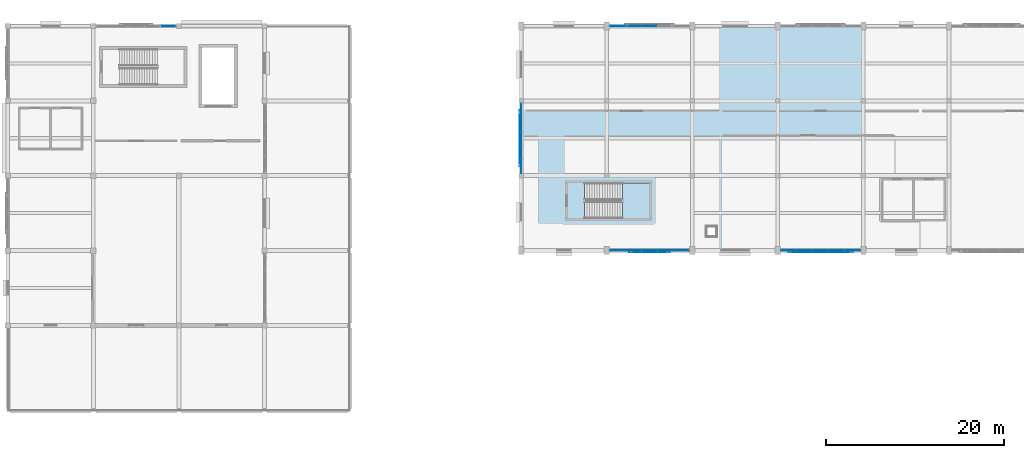
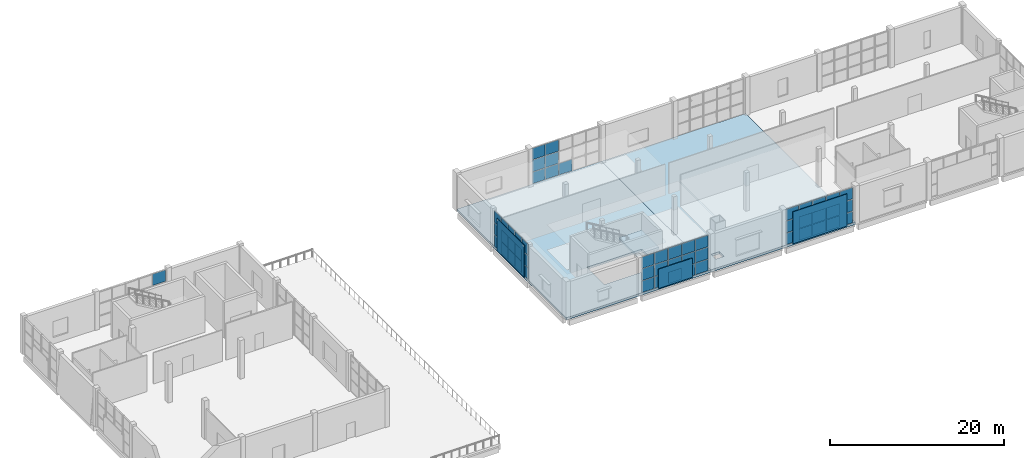
# One storey, part 39 of 72: 56 plates, 3 slabs, 6 elements without a shape of their own.
"""IFC4 building model written with IfcOpenShell, lengths in metres."""

from ifc_helpers import new_model, si_unit, direction, frame, origin, origin_2d, place, context, subcontext, project, spatial, polyline, rectangle, outline, extrude, material, layer, layer_set, type_object, element, aggregate, save


model = new_model("IFC4")

# Units and contexts
model_context = context("Model", 3, precision=1e-05, world=origin(), true_north=direction((0.0, 1.0)))
body_context = subcontext(model_context, "Body", "Model", "MODEL_VIEW")
ifc_project = project(units=[si_unit("LENGTHUNIT", "METRE"), si_unit("AREAUNIT", "SQUARE_METRE"), si_unit("VOLUMEUNIT", "CUBIC_METRE"), si_unit("PLANEANGLEUNIT", "RADIAN"), si_unit("MASSUNIT", "GRAM", prefix="KILO")], contexts=[model_context])

# Site, building, storey
site_placement = place(None, origin())
site = spatial("IfcSite", under=ifc_project, at=site_placement, CompositionType="ELEMENT")
building_placement = place(site_placement, origin())
building = spatial("IfcBuilding", under=site, at=building_placement, Name="Shalvenor Court Art Gallery", CompositionType="ELEMENT")
storey_placement = place(building_placement, frame((0.0, 0.0, 11.39990234375)))
storey = spatial("IfcBuildingStorey", under=building, at=storey_placement, Name="L02", CompositionType="ELEMENT", Elevation=11.39990234375)

# Curtain wall, plate
ifc_material_1 = material(Name="Anodised aluminium and low-iron glass curtain wall", Category="aluminium")
curtain_wall_type_1 = type_object("IfcCurtainWallType", Name="CW-5x3-90-51-221", PredefinedType="USERDEFINED", material=ifc_material_1)
curtain_wall_1_placement = place(storey_placement, origin())
curtain_wall_1 = element("IfcCurtainWall", 1, at=curtain_wall_1_placement, inside=storey, type_object=curtain_wall_type_1, Name="L02 V5 Curtain Wall CW-L02-181", ObjectType="CURTAIN WALL", PredefinedType="USERDEFINED")
ifc_material_2 = material(Name="Low-iron UV-laminated double glazing IGU", Category="glass")
ifc_layer_1 = layer(ifc_material_2, 0.028076171875, Name="Low-iron UV-laminated double glazing IGU")
ifc_layer_set_1 = layer_set([ifc_layer_1], Name="Low-iron UV-laminated double glazing IGU")
plate_type_1 = type_object("IfcPlateType", Name="CWP-01", PredefinedType="CURTAIN_PANEL", material=ifc_layer_set_1)
plate_1_placement = place(storey_placement, frame((17.982421875, 122.39990234375, 3.4326171875), z_axis=(0.0, 0.0, 1.0), x_axis=(1.0, 0.0, 0.0)))
plate_1 = element("IfcPlate", 2, at=plate_1_placement, type_object=plate_type_1, Name="CW-5x3-90-51-221 panel 5.3", PredefinedType="CURTAIN_PANEL", context=body_context, shape_type="SweptSolid", body=[
    extrude(rectangle(XDim=1.695068359375, YDim=0.028076171875, at=origin_2d()), origin(), (0.0, 0.0, 1.0), 1.6025390625),
])
aggregate(curtain_wall_1, [plate_1])

# Curtain wall, plates
ifc_material_3 = material(Name="Anodised aluminium and low-iron glass curtain wall", Category="aluminium")
curtain_wall_type_2 = type_object("IfcCurtainWallType", Name="CW-5x3-90-51-112", PredefinedType="USERDEFINED", material=ifc_material_3)
curtain_wall_2_placement = place(storey_placement, origin())
curtain_wall_2 = element("IfcCurtainWall", 3, at=curtain_wall_2_placement, inside=storey, type_object=curtain_wall_type_2, Name="L02 V2 Curtain Wall CW-L02-072", ObjectType="CURTAIN WALL", PredefinedType="USERDEFINED")
ifc_material_4 = material(Name="Low-iron triple-silver solar gallery glazing IGU", Category="glass")
ifc_layer_2 = layer(ifc_material_4, 0.031982421875, Name="Low-iron triple-silver solar gallery glazing IGU")
ifc_layer_set_2 = layer_set([ifc_layer_2], Name="Low-iron triple-silver solar gallery glazing IGU")
plate_type_2 = type_object("IfcPlateType", Name="CWP-02", PredefinedType="CURTAIN_PANEL", material=ifc_layer_set_2)
plate_2_placement = place(storey_placement, frame((68.416259765625, 122.39990234375, 0.06005859375), z_axis=(0.0, 0.0, 1.0), x_axis=(1.0, 0.0, 0.0)))
plate_2 = element("IfcPlate", 4, at=plate_2_placement, type_object=plate_type_2, Name="CW-5x3-90-51-112 panel 1.1", PredefinedType="CURTAIN_PANEL", context=body_context, shape_type="SweptSolid", body=[
    extrude(rectangle(XDim=1.702392578125, YDim=0.031982421875, at=origin_2d()), origin(), (0.0, 0.0, 1.0), 1.610107421875),
])
plate_3_placement = place(storey_placement, frame((68.416259765625, 122.39990234375, 1.72998046875), z_axis=(0.0, 0.0, 1.0), x_axis=(1.0, 0.0, 0.0)))
plate_3 = element("IfcPlate", 5, at=plate_3_placement, type_object=plate_type_2, Name="CW-5x3-90-51-112 panel 1.2", PredefinedType="CURTAIN_PANEL", context=body_context, shape_type="SweptSolid", body=[
    extrude(rectangle(XDim=1.702392578125, YDim=0.031982421875, at=origin_2d()), origin(), (0.0, 0.0, 1.0), 1.639892578125),
])
plate_4_placement = place(storey_placement, frame((68.416259765625, 122.39990234375, 3.43017578125), z_axis=(0.0, 0.0, 1.0), x_axis=(1.0, 0.0, 0.0)))
plate_4 = element("IfcPlate", 6, at=plate_4_placement, type_object=plate_type_2, Name="CW-5x3-90-51-112 panel 1.3", PredefinedType="CURTAIN_PANEL", context=body_context, shape_type="SweptSolid", body=[
    extrude(rectangle(XDim=1.702392578125, YDim=0.031982421875, at=origin_2d()), origin(), (0.0, 0.0, 1.0), 1.610107421875),
])
plate_5_placement = place(storey_placement, frame((70.199951171875, 122.39990234375, 0.06005859375), z_axis=(0.0, 0.0, 1.0), x_axis=(1.0, 0.0, 0.0)))
plate_5 = element("IfcPlate", 7, at=plate_5_placement, type_object=plate_type_2, Name="CW-5x3-90-51-112 panel 2.1", PredefinedType="CURTAIN_PANEL", context=body_context, shape_type="SweptSolid", body=[
    extrude(rectangle(XDim=1.735107421875, YDim=0.031982421875, at=origin_2d()), origin(), (0.0, 0.0, 1.0), 1.610107421875),
])
plate_6_placement = place(storey_placement, frame((70.199951171875, 122.39990234375, 1.72998046875), z_axis=(0.0, 0.0, 1.0), x_axis=(1.0, 0.0, 0.0)))
plate_6 = element("IfcPlate", 8, at=plate_6_placement, type_object=plate_type_2, Name="CW-5x3-90-51-112 panel 2.2", PredefinedType="CURTAIN_PANEL", context=body_context, shape_type="SweptSolid", body=[
    extrude(rectangle(XDim=1.735107421875, YDim=0.031982421875, at=origin_2d()), origin(), (0.0, 0.0, 1.0), 1.639892578125),
])
plate_7_placement = place(storey_placement, frame((70.199951171875, 122.39990234375, 3.43017578125), z_axis=(0.0, 0.0, 1.0), x_axis=(1.0, 0.0, 0.0)))
plate_7 = element("IfcPlate", 9, at=plate_7_placement, type_object=plate_type_2, Name="CW-5x3-90-51-112 panel 2.3", PredefinedType="CURTAIN_PANEL", context=body_context, shape_type="SweptSolid", body=[
    extrude(rectangle(XDim=1.735107421875, YDim=0.031982421875, at=origin_2d()), origin(), (0.0, 0.0, 1.0), 1.610107421875),
])
plate_8_placement = place(storey_placement, frame((72.0, 122.39990234375, 0.06005859375), z_axis=(0.0, 0.0, 1.0), x_axis=(1.0, 0.0, 0.0)))
plate_8 = element("IfcPlate", 10, at=plate_8_placement, type_object=plate_type_2, Name="CW-5x3-90-51-112 panel 3.1", PredefinedType="CURTAIN_PANEL", context=body_context, shape_type="SweptSolid", body=[
    extrude(rectangle(XDim=1.735107421875, YDim=0.031982421875, at=origin_2d()), origin(), (0.0, 0.0, 1.0), 1.610107421875),
])
aggregate(curtain_wall_2, [plate_2, plate_3, plate_4, plate_5, plate_6, plate_7, plate_8])

ifc_material_5 = material(Name="Anodised aluminium and low-iron glass curtain wall", Category="aluminium")
curtain_wall_type_3 = type_object("IfcCurtainWallType", Name="CW-5x3-90-51-242", PredefinedType="USERDEFINED", material=ifc_material_5)
curtain_wall_3_placement = place(storey_placement, origin())
curtain_wall_3 = element("IfcCurtainWall", 11, at=curtain_wall_3_placement, inside=storey, type_object=curtain_wall_type_3, Name="L02 V2 Curtain Wall CW-L02-077", ObjectType="CURTAIN WALL", PredefinedType="USERDEFINED")
plate_9_placement = place(storey_placement, frame((94.782470703125, 97.199951171875, 0.0703125), z_axis=(0.0, 0.0, 1.0), x_axis=(-1.0, 0.0, 0.0)))
plate_9 = element("IfcPlate", 12, at=plate_9_placement, type_object=plate_type_2, Name="CW-5x3-90-51-242 panel 1.1", PredefinedType="CURTAIN_PANEL", context=body_context, shape_type="SweptSolid", body=[
    extrude(rectangle(XDim=1.695068359375, YDim=0.031982421875, at=origin_2d()), origin(), (0.0, 0.0, 1.0), 1.594970703125),
])
plate_10_placement = place(storey_placement, frame((94.782470703125, 97.199951171875, 1.735107421875), z_axis=(0.0, 0.0, 1.0), x_axis=(-1.0, 0.0, 0.0)))
plate_10 = element("IfcPlate", 13, at=plate_10_placement, type_object=plate_type_2, Name="CW-5x3-90-51-242 panel 1.2", PredefinedType="CURTAIN_PANEL", context=body_context, shape_type="SweptSolid", body=[
    extrude(rectangle(XDim=1.695068359375, YDim=0.031982421875, at=origin_2d()), origin(), (0.0, 0.0, 1.0), 1.6298828125),
])
plate_11_placement = place(storey_placement, frame((94.782470703125, 97.199951171875, 3.43505859375), z_axis=(0.0, 0.0, 1.0), x_axis=(-1.0, 0.0, 0.0)))
plate_11 = element("IfcPlate", 14, at=plate_11_placement, type_object=plate_type_2, Name="CW-5x3-90-51-242 panel 1.3", PredefinedType="CURTAIN_PANEL", context=body_context, shape_type="SweptSolid", body=[
    extrude(rectangle(XDim=1.695068359375, YDim=0.031982421875, at=origin_2d()), origin(), (0.0, 0.0, 1.0), 1.594970703125),
])
plate_12_placement = place(storey_placement, frame((93.0, 97.199951171875, 0.0703125), z_axis=(0.0, 0.0, 1.0), x_axis=(-1.0, 0.0, 0.0)))
plate_12 = element("IfcPlate", 15, at=plate_12_placement, type_object=plate_type_2, Name="CW-5x3-90-51-242 panel 2.1", PredefinedType="CURTAIN_PANEL", context=body_context, shape_type="SweptSolid", body=[
    extrude(rectangle(XDim=1.72998046875, YDim=0.031982421875, at=origin_2d()), origin(), (0.0, 0.0, 1.0), 1.594970703125),
])
plate_13_placement = place(storey_placement, frame((93.0, 97.199951171875, 1.735107421875), z_axis=(0.0, 0.0, 1.0), x_axis=(-1.0, 0.0, 0.0)))
plate_13 = element("IfcPlate", 16, at=plate_13_placement, type_object=plate_type_2, Name="CW-5x3-90-51-242 panel 2.2", PredefinedType="CURTAIN_PANEL", context=body_context, shape_type="SweptSolid", body=[
    extrude(rectangle(XDim=1.72998046875, YDim=0.031982421875, at=origin_2d()), origin(), (0.0, 0.0, 1.0), 1.6298828125),
])
plate_14_placement = place(storey_placement, frame((93.0, 97.199951171875, 3.43505859375), z_axis=(0.0, 0.0, 1.0), x_axis=(-1.0, 0.0, 0.0)))
plate_14 = element("IfcPlate", 17, at=plate_14_placement, type_object=plate_type_2, Name="CW-5x3-90-51-242 panel 2.3", PredefinedType="CURTAIN_PANEL", context=body_context, shape_type="SweptSolid", body=[
    extrude(rectangle(XDim=1.72998046875, YDim=0.031982421875, at=origin_2d()), origin(), (0.0, 0.0, 1.0), 1.594970703125),
])
plate_15_placement = place(storey_placement, frame((91.199951171875, 97.199951171875, 0.0703125), z_axis=(0.0, 0.0, 1.0), x_axis=(-1.0, 0.0, 0.0)))
plate_15 = element("IfcPlate", 18, at=plate_15_placement, type_object=plate_type_2, Name="CW-5x3-90-51-242 panel 3.1", PredefinedType="CURTAIN_PANEL", context=body_context, shape_type="SweptSolid", body=[
    extrude(rectangle(XDim=1.72998046875, YDim=0.031982421875, at=origin_2d()), origin(), (0.0, 0.0, 1.0), 1.594970703125),
])
plate_16_placement = place(storey_placement, frame((91.199951171875, 97.199951171875, 1.735107421875), z_axis=(0.0, 0.0, 1.0), x_axis=(-1.0, 0.0, 0.0)))
plate_16 = element("IfcPlate", 19, at=plate_16_placement, type_object=plate_type_2, Name="CW-5x3-90-51-242 panel 3.2", PredefinedType="CURTAIN_PANEL", context=body_context, shape_type="SweptSolid", body=[
    extrude(rectangle(XDim=1.72998046875, YDim=0.031982421875, at=origin_2d()), origin(), (0.0, 0.0, 1.0), 1.6298828125),
])
plate_17_placement = place(storey_placement, frame((91.199951171875, 97.199951171875, 3.43505859375), z_axis=(0.0, 0.0, 1.0), x_axis=(-1.0, 0.0, 0.0)))
plate_17 = element("IfcPlate", 20, at=plate_17_placement, type_object=plate_type_2, Name="CW-5x3-90-51-242 panel 3.3", PredefinedType="CURTAIN_PANEL", context=body_context, shape_type="SweptSolid", body=[
    extrude(rectangle(XDim=1.72998046875, YDim=0.031982421875, at=origin_2d()), origin(), (0.0, 0.0, 1.0), 1.594970703125),
])
plate_18_placement = place(storey_placement, frame((89.39990234375, 97.199951171875, 0.0703125), z_axis=(0.0, 0.0, 1.0), x_axis=(-1.0, 0.0, 0.0)))
plate_18 = element("IfcPlate", 21, at=plate_18_placement, type_object=plate_type_2, Name="CW-5x3-90-51-242 panel 4.1", PredefinedType="CURTAIN_PANEL", context=body_context, shape_type="SweptSolid", body=[
    extrude(rectangle(XDim=1.72998046875, YDim=0.031982421875, at=origin_2d()), origin(), (0.0, 0.0, 1.0), 1.594970703125),
])
plate_19_placement = place(storey_placement, frame((89.39990234375, 97.199951171875, 1.735107421875), z_axis=(0.0, 0.0, 1.0), x_axis=(-1.0, 0.0, 0.0)))
plate_19 = element("IfcPlate", 22, at=plate_19_placement, type_object=plate_type_2, Name="CW-5x3-90-51-242 panel 4.2", PredefinedType="CURTAIN_PANEL", context=body_context, shape_type="SweptSolid", body=[
    extrude(rectangle(XDim=1.72998046875, YDim=0.031982421875, at=origin_2d()), origin(), (0.0, 0.0, 1.0), 1.6298828125),
])
plate_20_placement = place(storey_placement, frame((89.39990234375, 97.199951171875, 3.43505859375), z_axis=(0.0, 0.0, 1.0), x_axis=(-1.0, 0.0, 0.0)))
plate_20 = element("IfcPlate", 23, at=plate_20_placement, type_object=plate_type_2, Name="CW-5x3-90-51-242 panel 4.3", PredefinedType="CURTAIN_PANEL", context=body_context, shape_type="SweptSolid", body=[
    extrude(rectangle(XDim=1.72998046875, YDim=0.031982421875, at=origin_2d()), origin(), (0.0, 0.0, 1.0), 1.594970703125),
])
plate_21_placement = place(storey_placement, frame((87.617431640625, 97.199951171875, 0.0703125), z_axis=(0.0, 0.0, 1.0), x_axis=(-1.0, 0.0, 0.0)))
plate_21 = element("IfcPlate", 24, at=plate_21_placement, type_object=plate_type_2, Name="CW-5x3-90-51-242 panel 5.1", PredefinedType="CURTAIN_PANEL", context=body_context, shape_type="SweptSolid", body=[
    extrude(rectangle(XDim=1.695068359375, YDim=0.031982421875, at=origin_2d()), origin(), (0.0, 0.0, 1.0), 1.594970703125),
])
plate_22_placement = place(storey_placement, frame((87.617431640625, 97.199951171875, 1.735107421875), z_axis=(0.0, 0.0, 1.0), x_axis=(-1.0, 0.0, 0.0)))
plate_22 = element("IfcPlate", 25, at=plate_22_placement, type_object=plate_type_2, Name="CW-5x3-90-51-242 panel 5.2", PredefinedType="CURTAIN_PANEL", context=body_context, shape_type="SweptSolid", body=[
    extrude(rectangle(XDim=1.695068359375, YDim=0.031982421875, at=origin_2d()), origin(), (0.0, 0.0, 1.0), 1.6298828125),
])
plate_23_placement = place(storey_placement, frame((87.617431640625, 97.199951171875, 3.43505859375), z_axis=(0.0, 0.0, 1.0), x_axis=(-1.0, 0.0, 0.0)))
plate_23 = element("IfcPlate", 26, at=plate_23_placement, type_object=plate_type_2, Name="CW-5x3-90-51-242 panel 5.3", PredefinedType="CURTAIN_PANEL", context=body_context, shape_type="SweptSolid", body=[
    extrude(rectangle(XDim=1.695068359375, YDim=0.031982421875, at=origin_2d()), origin(), (0.0, 0.0, 1.0), 1.594970703125),
])
aggregate(curtain_wall_3, [plate_9, plate_10, plate_11, plate_12, plate_13, plate_14, plate_15, plate_16, plate_17, plate_18, plate_19, plate_20, plate_21, plate_22, plate_23])

ifc_material_6 = material(Name="Anodised aluminium and low-iron glass curtain wall", Category="aluminium")
curtain_wall_type_4 = type_object("IfcCurtainWallType", Name="CW-5x3-90-51-412", PredefinedType="USERDEFINED", material=ifc_material_6)
curtain_wall_4_placement = place(storey_placement, origin())
curtain_wall_4 = element("IfcCurtainWall", 27, at=curtain_wall_4_placement, inside=storey, type_object=curtain_wall_type_4, Name="L02 V2 Curtain Wall CW-L02-078", ObjectType="CURTAIN WALL", PredefinedType="USERDEFINED")
plate_24_placement = place(storey_placement, frame((75.581298828125, 97.199951171875, 0.06005859375), z_axis=(0.0, 0.0, 1.0), x_axis=(-1.0, 0.0, 0.0)))
plate_24 = element("IfcPlate", 28, at=plate_24_placement, type_object=plate_type_2, Name="CW-5x3-90-51-412 panel 1.1", PredefinedType="CURTAIN_PANEL", context=body_context, shape_type="SweptSolid", body=[
    extrude(rectangle(XDim=1.6875, YDim=0.031982421875, at=origin_2d()), origin(), (0.0, 0.0, 1.0), 1.610107421875),
])
plate_25_placement = place(storey_placement, frame((75.581298828125, 97.199951171875, 1.72998046875), z_axis=(0.0, 0.0, 1.0), x_axis=(-1.0, 0.0, 0.0)))
plate_25 = element("IfcPlate", 29, at=plate_25_placement, type_object=plate_type_2, Name="CW-5x3-90-51-412 panel 1.2", PredefinedType="CURTAIN_PANEL", context=body_context, shape_type="SweptSolid", body=[
    extrude(rectangle(XDim=1.6875, YDim=0.031982421875, at=origin_2d()), origin(), (0.0, 0.0, 1.0), 1.639892578125),
])
plate_26_placement = place(storey_placement, frame((75.581298828125, 97.199951171875, 3.43017578125), z_axis=(0.0, 0.0, 1.0), x_axis=(-1.0, 0.0, 0.0)))
plate_26 = element("IfcPlate", 30, at=plate_26_placement, type_object=plate_type_2, Name="CW-5x3-90-51-412 panel 1.3", PredefinedType="CURTAIN_PANEL", context=body_context, shape_type="SweptSolid", body=[
    extrude(rectangle(XDim=1.6875, YDim=0.031982421875, at=origin_2d()), origin(), (0.0, 0.0, 1.0), 1.610107421875),
])
plate_27_placement = place(storey_placement, frame((73.800048828125, 97.199951171875, 0.06005859375), z_axis=(0.0, 0.0, 1.0), x_axis=(-1.0, 0.0, 0.0)))
plate_27 = element("IfcPlate", 31, at=plate_27_placement, type_object=plate_type_2, Name="CW-5x3-90-51-412 panel 2.1", PredefinedType="CURTAIN_PANEL", context=body_context, shape_type="SweptSolid", body=[
    extrude(rectangle(XDim=1.72509765625, YDim=0.031982421875, at=origin_2d()), origin(), (0.0, 0.0, 1.0), 1.610107421875),
])
plate_28_placement = place(storey_placement, frame((73.800048828125, 97.199951171875, 1.72998046875), z_axis=(0.0, 0.0, 1.0), x_axis=(-1.0, 0.0, 0.0)))
plate_28 = element("IfcPlate", 32, at=plate_28_placement, type_object=plate_type_2, Name="CW-5x3-90-51-412 panel 2.2", PredefinedType="CURTAIN_PANEL", context=body_context, shape_type="SweptSolid", body=[
    extrude(rectangle(XDim=1.72509765625, YDim=0.031982421875, at=origin_2d()), origin(), (0.0, 0.0, 1.0), 1.639892578125),
])
plate_29_placement = place(storey_placement, frame((73.800048828125, 97.199951171875, 3.43017578125), z_axis=(0.0, 0.0, 1.0), x_axis=(-1.0, 0.0, 0.0)))
plate_29 = element("IfcPlate", 33, at=plate_29_placement, type_object=plate_type_2, Name="CW-5x3-90-51-412 panel 2.3", PredefinedType="CURTAIN_PANEL", context=body_context, shape_type="SweptSolid", body=[
    extrude(rectangle(XDim=1.72509765625, YDim=0.031982421875, at=origin_2d()), origin(), (0.0, 0.0, 1.0), 1.610107421875),
])
plate_30_placement = place(storey_placement, frame((72.0, 97.199951171875, 0.06005859375), z_axis=(0.0, 0.0, 1.0), x_axis=(-1.0, 0.0, 0.0)))
plate_30 = element("IfcPlate", 34, at=plate_30_placement, type_object=plate_type_2, Name="CW-5x3-90-51-412 panel 3.1", PredefinedType="CURTAIN_PANEL", context=body_context, shape_type="SweptSolid", body=[
    extrude(rectangle(XDim=1.72509765625, YDim=0.031982421875, at=origin_2d()), origin(), (0.0, 0.0, 1.0), 1.610107421875),
])
plate_31_placement = place(storey_placement, frame((72.0, 97.199951171875, 1.72998046875), z_axis=(0.0, 0.0, 1.0), x_axis=(-1.0, 0.0, 0.0)))
plate_31 = element("IfcPlate", 35, at=plate_31_placement, type_object=plate_type_2, Name="CW-5x3-90-51-412 panel 3.2", PredefinedType="CURTAIN_PANEL", context=body_context, shape_type="SweptSolid", body=[
    extrude(rectangle(XDim=1.72509765625, YDim=0.031982421875, at=origin_2d()), origin(), (0.0, 0.0, 1.0), 1.639892578125),
])
plate_32_placement = place(storey_placement, frame((72.0, 97.199951171875, 3.43017578125), z_axis=(0.0, 0.0, 1.0), x_axis=(-1.0, 0.0, 0.0)))
plate_32 = element("IfcPlate", 36, at=plate_32_placement, type_object=plate_type_2, Name="CW-5x3-90-51-412 panel 3.3", PredefinedType="CURTAIN_PANEL", context=body_context, shape_type="SweptSolid", body=[
    extrude(rectangle(XDim=1.72509765625, YDim=0.031982421875, at=origin_2d()), origin(), (0.0, 0.0, 1.0), 1.610107421875),
])
plate_33_placement = place(storey_placement, frame((70.199951171875, 97.199951171875, 0.06005859375), z_axis=(0.0, 0.0, 1.0), x_axis=(-1.0, 0.0, 0.0)))
plate_33 = element("IfcPlate", 37, at=plate_33_placement, type_object=plate_type_2, Name="CW-5x3-90-51-412 panel 4.1", PredefinedType="CURTAIN_PANEL", context=body_context, shape_type="SweptSolid", body=[
    extrude(rectangle(XDim=1.72509765625, YDim=0.031982421875, at=origin_2d()), origin(), (0.0, 0.0, 1.0), 1.610107421875),
])
plate_34_placement = place(storey_placement, frame((70.199951171875, 97.199951171875, 1.72998046875), z_axis=(0.0, 0.0, 1.0), x_axis=(-1.0, 0.0, 0.0)))
plate_34 = element("IfcPlate", 38, at=plate_34_placement, type_object=plate_type_2, Name="CW-5x3-90-51-412 panel 4.2", PredefinedType="CURTAIN_PANEL", context=body_context, shape_type="SweptSolid", body=[
    extrude(rectangle(XDim=1.72509765625, YDim=0.031982421875, at=origin_2d()), origin(), (0.0, 0.0, 1.0), 1.639892578125),
])
plate_35_placement = place(storey_placement, frame((70.199951171875, 97.199951171875, 3.43017578125), z_axis=(0.0, 0.0, 1.0), x_axis=(-1.0, 0.0, 0.0)))
plate_35 = element("IfcPlate", 39, at=plate_35_placement, type_object=plate_type_2, Name="CW-5x3-90-51-412 panel 4.3", PredefinedType="CURTAIN_PANEL", context=body_context, shape_type="SweptSolid", body=[
    extrude(rectangle(XDim=1.72509765625, YDim=0.031982421875, at=origin_2d()), origin(), (0.0, 0.0, 1.0), 1.610107421875),
])
plate_36_placement = place(storey_placement, frame((68.418701171875, 97.199951171875, 0.06005859375), z_axis=(0.0, 0.0, 1.0), x_axis=(-1.0, 0.0, 0.0)))
plate_36 = element("IfcPlate", 40, at=plate_36_placement, type_object=plate_type_2, Name="CW-5x3-90-51-412 panel 5.1", PredefinedType="CURTAIN_PANEL", context=body_context, shape_type="SweptSolid", body=[
    extrude(rectangle(XDim=1.6875, YDim=0.031982421875, at=origin_2d()), origin(), (0.0, 0.0, 1.0), 1.610107421875),
])
plate_37_placement = place(storey_placement, frame((68.418701171875, 97.199951171875, 1.72998046875), z_axis=(0.0, 0.0, 1.0), x_axis=(-1.0, 0.0, 0.0)))
plate_37 = element("IfcPlate", 41, at=plate_37_placement, type_object=plate_type_2, Name="CW-5x3-90-51-412 panel 5.2", PredefinedType="CURTAIN_PANEL", context=body_context, shape_type="SweptSolid", body=[
    extrude(rectangle(XDim=1.6875, YDim=0.031982421875, at=origin_2d()), origin(), (0.0, 0.0, 1.0), 1.639892578125),
])
plate_38_placement = place(storey_placement, frame((68.418701171875, 97.199951171875, 3.43017578125), z_axis=(0.0, 0.0, 1.0), x_axis=(-1.0, 0.0, 0.0)))
plate_38 = element("IfcPlate", 42, at=plate_38_placement, type_object=plate_type_2, Name="CW-5x3-90-51-412 panel 5.3", PredefinedType="CURTAIN_PANEL", context=body_context, shape_type="SweptSolid", body=[
    extrude(rectangle(XDim=1.6875, YDim=0.031982421875, at=origin_2d()), origin(), (0.0, 0.0, 1.0), 1.610107421875),
])
aggregate(curtain_wall_4, [plate_24, plate_25, plate_26, plate_27, plate_28, plate_29, plate_30, plate_31, plate_32, plate_33, plate_34, plate_35, plate_36, plate_37, plate_38])

ifc_material_7 = material(Name="Anodised aluminium and low-iron glass curtain wall", Category="aluminium")
curtain_wall_type_5 = type_object("IfcCurtainWallType", Name="CW-5x3-79-51-622", PredefinedType="USERDEFINED", material=ifc_material_7)
curtain_wall_5_placement = place(storey_placement, origin())
curtain_wall_5 = element("IfcCurtainWall", 43, at=curtain_wall_5_placement, inside=storey, type_object=curtain_wall_type_5, Name="L02 V2 Curtain Wall CW-L02-079", ObjectType="CURTAIN WALL", PredefinedType="USERDEFINED")
plate_39_placement = place(storey_placement, frame((57.60009765625, 106.65380859375, 0.065185546875), z_axis=(0.0, 0.0, 1.0), x_axis=(0.0, 1.0, 0.0)))
plate_39 = element("IfcPlate", 44, at=plate_39_placement, type_object=plate_type_2, Name="CW-5x3-79-51-622 panel 1.1", PredefinedType="CURTAIN_PANEL", context=body_context, shape_type="SweptSolid", body=[
    extrude(rectangle(XDim=1.49755859375, YDim=0.031982421875, at=origin_2d()), origin(), (0.0, 0.0, 1.0), 1.6025390625),
])
plate_40_placement = place(storey_placement, frame((57.60009765625, 106.65380859375, 1.732421875), z_axis=(0.0, 0.0, 1.0), x_axis=(0.0, 1.0, 0.0)))
plate_40 = element("IfcPlate", 45, at=plate_40_placement, type_object=plate_type_2, Name="CW-5x3-79-51-622 panel 1.2", PredefinedType="CURTAIN_PANEL", context=body_context, shape_type="SweptSolid", body=[
    extrude(rectangle(XDim=1.49755859375, YDim=0.031982421875, at=origin_2d()), origin(), (0.0, 0.0, 1.0), 1.635009765625),
])
plate_41_placement = place(storey_placement, frame((57.60009765625, 106.65380859375, 3.4326171875), z_axis=(0.0, 0.0, 1.0), x_axis=(0.0, 1.0, 0.0)))
plate_41 = element("IfcPlate", 46, at=plate_41_placement, type_object=plate_type_2, Name="CW-5x3-79-51-622 panel 1.3", PredefinedType="CURTAIN_PANEL", context=body_context, shape_type="SweptSolid", body=[
    extrude(rectangle(XDim=1.49755859375, YDim=0.031982421875, at=origin_2d()), origin(), (0.0, 0.0, 1.0), 1.6025390625),
])
plate_42_placement = place(storey_placement, frame((57.60009765625, 108.219970703125, 0.065185546875), z_axis=(0.0, 0.0, 1.0), x_axis=(0.0, 1.0, 0.0)))
plate_42 = element("IfcPlate", 47, at=plate_42_placement, type_object=plate_type_2, Name="CW-5x3-79-51-622 panel 2.1", PredefinedType="CURTAIN_PANEL", context=body_context, shape_type="SweptSolid", body=[
    extrude(rectangle(XDim=1.52490234375, YDim=0.031982421875, at=origin_2d()), origin(), (0.0, 0.0, 1.0), 1.6025390625),
])
plate_43_placement = place(storey_placement, frame((57.60009765625, 108.219970703125, 1.732421875), z_axis=(0.0, 0.0, 1.0), x_axis=(0.0, 1.0, 0.0)))
plate_43 = element("IfcPlate", 48, at=plate_43_placement, type_object=plate_type_2, Name="CW-5x3-79-51-622 panel 2.2", PredefinedType="CURTAIN_PANEL", context=body_context, shape_type="SweptSolid", body=[
    extrude(rectangle(XDim=1.52490234375, YDim=0.031982421875, at=origin_2d()), origin(), (0.0, 0.0, 1.0), 1.635009765625),
])
plate_44_placement = place(storey_placement, frame((57.60009765625, 108.219970703125, 3.4326171875), z_axis=(0.0, 0.0, 1.0), x_axis=(0.0, 1.0, 0.0)))
plate_44 = element("IfcPlate", 49, at=plate_44_placement, type_object=plate_type_2, Name="CW-5x3-79-51-622 panel 2.3", PredefinedType="CURTAIN_PANEL", context=body_context, shape_type="SweptSolid", body=[
    extrude(rectangle(XDim=1.52490234375, YDim=0.031982421875, at=origin_2d()), origin(), (0.0, 0.0, 1.0), 1.6025390625),
])
plate_45_placement = place(storey_placement, frame((57.60009765625, 109.800048828125, 0.065185546875), z_axis=(0.0, 0.0, 1.0), x_axis=(0.0, 1.0, 0.0)))
plate_45 = element("IfcPlate", 50, at=plate_45_placement, type_object=plate_type_2, Name="CW-5x3-79-51-622 panel 3.1", PredefinedType="CURTAIN_PANEL", context=body_context, shape_type="SweptSolid", body=[
    extrude(rectangle(XDim=1.52490234375, YDim=0.031982421875, at=origin_2d()), origin(), (0.0, 0.0, 1.0), 1.6025390625),
])
plate_46_placement = place(storey_placement, frame((57.60009765625, 109.800048828125, 1.732421875), z_axis=(0.0, 0.0, 1.0), x_axis=(0.0, 1.0, 0.0)))
plate_46 = element("IfcPlate", 51, at=plate_46_placement, type_object=plate_type_2, Name="CW-5x3-79-51-622 panel 3.2", PredefinedType="CURTAIN_PANEL", context=body_context, shape_type="SweptSolid", body=[
    extrude(rectangle(XDim=1.52490234375, YDim=0.031982421875, at=origin_2d()), origin(), (0.0, 0.0, 1.0), 1.635009765625),
])
plate_47_placement = place(storey_placement, frame((57.60009765625, 109.800048828125, 3.4326171875), z_axis=(0.0, 0.0, 1.0), x_axis=(0.0, 1.0, 0.0)))
plate_47 = element("IfcPlate", 52, at=plate_47_placement, type_object=plate_type_2, Name="CW-5x3-79-51-622 panel 3.3", PredefinedType="CURTAIN_PANEL", context=body_context, shape_type="SweptSolid", body=[
    extrude(rectangle(XDim=1.52490234375, YDim=0.031982421875, at=origin_2d()), origin(), (0.0, 0.0, 1.0), 1.6025390625),
])
plate_48_placement = place(storey_placement, frame((57.60009765625, 111.3798828125, 0.065185546875), z_axis=(0.0, 0.0, 1.0), x_axis=(0.0, 1.0, 0.0)))
plate_48 = element("IfcPlate", 53, at=plate_48_placement, type_object=plate_type_2, Name="CW-5x3-79-51-622 panel 4.1", PredefinedType="CURTAIN_PANEL", context=body_context, shape_type="SweptSolid", body=[
    extrude(rectangle(XDim=1.52490234375, YDim=0.031982421875, at=origin_2d()), origin(), (0.0, 0.0, 1.0), 1.6025390625),
])
plate_49_placement = place(storey_placement, frame((57.60009765625, 111.3798828125, 1.732421875), z_axis=(0.0, 0.0, 1.0), x_axis=(0.0, 1.0, 0.0)))
plate_49 = element("IfcPlate", 54, at=plate_49_placement, type_object=plate_type_2, Name="CW-5x3-79-51-622 panel 4.2", PredefinedType="CURTAIN_PANEL", context=body_context, shape_type="SweptSolid", body=[
    extrude(rectangle(XDim=1.52490234375, YDim=0.031982421875, at=origin_2d()), origin(), (0.0, 0.0, 1.0), 1.635009765625),
])
plate_50_placement = place(storey_placement, frame((57.60009765625, 111.3798828125, 3.4326171875), z_axis=(0.0, 0.0, 1.0), x_axis=(0.0, 1.0, 0.0)))
plate_50 = element("IfcPlate", 55, at=plate_50_placement, type_object=plate_type_2, Name="CW-5x3-79-51-622 panel 4.3", PredefinedType="CURTAIN_PANEL", context=body_context, shape_type="SweptSolid", body=[
    extrude(rectangle(XDim=1.52490234375, YDim=0.031982421875, at=origin_2d()), origin(), (0.0, 0.0, 1.0), 1.6025390625),
])
plate_51_placement = place(storey_placement, frame((57.60009765625, 112.9462890625, 0.065185546875), z_axis=(0.0, 0.0, 1.0), x_axis=(0.0, 1.0, 0.0)))
plate_51 = element("IfcPlate", 56, at=plate_51_placement, type_object=plate_type_2, Name="CW-5x3-79-51-622 panel 5.1", PredefinedType="CURTAIN_PANEL", context=body_context, shape_type="SweptSolid", body=[
    extrude(rectangle(XDim=1.49755859375, YDim=0.031982421875, at=origin_2d()), origin(), (0.0, 0.0, 1.0), 1.6025390625),
])
plate_52_placement = place(storey_placement, frame((57.60009765625, 112.9462890625, 1.732421875), z_axis=(0.0, 0.0, 1.0), x_axis=(0.0, 1.0, 0.0)))
plate_52 = element("IfcPlate", 57, at=plate_52_placement, type_object=plate_type_2, Name="CW-5x3-79-51-622 panel 5.2", PredefinedType="CURTAIN_PANEL", context=body_context, shape_type="SweptSolid", body=[
    extrude(rectangle(XDim=1.49755859375, YDim=0.031982421875, at=origin_2d()), origin(), (0.0, 0.0, 1.0), 1.635009765625),
])
plate_53_placement = place(storey_placement, frame((57.60009765625, 112.9462890625, 3.4326171875), z_axis=(0.0, 0.0, 1.0), x_axis=(0.0, 1.0, 0.0)))
plate_53 = element("IfcPlate", 58, at=plate_53_placement, type_object=plate_type_2, Name="CW-5x3-79-51-622 panel 5.3", PredefinedType="CURTAIN_PANEL", context=body_context, shape_type="SweptSolid", body=[
    extrude(rectangle(XDim=1.49755859375, YDim=0.031982421875, at=origin_2d()), origin(), (0.0, 0.0, 1.0), 1.6025390625),
])
aggregate(curtain_wall_5, [plate_39, plate_40, plate_41, plate_42, plate_43, plate_44, plate_45, plate_46, plate_47, plate_48, plate_49, plate_50, plate_51, plate_52, plate_53])

# Slabs
ifc_material_8 = material(Name="Concrete C40/50", Category="concrete")
ifc_layer_3 = layer(ifc_material_8, 0.320068359375, Name="Concrete C40/50")
ifc_layer_set_3 = layer_set([ifc_layer_3], Name="Concrete C40/50")
slab_type_1 = type_object("IfcSlabType", Name="FS-320", PredefinedType="FLOOR", material=ifc_layer_set_3)
slab_1_placement = place(storey_placement, frame((0.0, 0.0, -0.31982421875)))
element("IfcSlab", 59, at=slab_1_placement, inside=storey, type_object=slab_type_1, Name="L02 V2 Floor Slab 1", PredefinedType="FLOOR", context=body_context, shape_type="SweptSolid", body=[
    extrude(outline(polyline([(57.60009765625, 97.199951171875), (57.60009765625, 122.39990234375), (76.800048828125, 122.39990234375), (76.800048828125, 97.199951171875), (57.60009765625, 97.199951171875)]), holes=[polyline([(64.7109375, 100.800048828125), (72.0, 100.800048828125), (72.0, 104.800048828125), (64.7109375, 104.800048828125), (64.7109375, 100.800048828125)])]), origin(), (0.0, 0.0, 1.0), 0.31982421875),
])
slab_2_placement = place(storey_placement, frame((0.0, 0.0, -0.31982421875)))
element("IfcSlab", 60, at=slab_2_placement, inside=storey, type_object=slab_type_1, Name="L02 V2 Floor Slab 2", PredefinedType="FLOOR", context=body_context, shape_type="SweptSolid", body=[
    extrude(outline(polyline([(76.800048828125, 97.199951171875), (76.800048828125, 122.39990234375), (96.0, 122.39990234375), (96.0, 97.199951171875), (76.800048828125, 97.199951171875)]), holes=[polyline([(78.39990234375, 98.800048828125), (79.5, 98.800048828125), (79.5, 99.89990234375), (78.39990234375, 99.89990234375), (78.39990234375, 98.800048828125)])]), origin(), (0.0, 0.0, 1.0), 0.31982421875),
])

# Plates
ifc_material_9 = material(Name="Perforated pale limestone GRC lattice", Category="masonry")
ifc_layer_4 = layer(ifc_material_9, 0.090087890625, Name="Perforated pale limestone GRC lattice")
ifc_layer_set_4 = layer_set([ifc_layer_4], Name="Perforated pale limestone GRC lattice")
plate_type_3 = type_object("IfcPlateType", Name="SCR-06", PredefinedType="USERDEFINED", material=ifc_layer_set_4)
plate_54_placement = place(storey_placement, frame((57.487060546875, 109.800048828125, 0.0), z_axis=(0.0, 0.0, 1.0), x_axis=(0.0, 1.0, 0.0)))
element("IfcPlate", 61, at=plate_54_placement, inside=storey, type_object=plate_type_3, Name="L02 V2 Perforated Stone Lattice Screen PLT-SCR-0066", ObjectType="SCREEN", PredefinedType="USERDEFINED", context=body_context, shape_type="SweptSolid", body=[
    extrude(rectangle(XDim=6.300048828125, YDim=0.090087890625, at=origin_2d()), origin(), (0.0, 0.0, 1.0), 4.5),
])
ifc_material_10 = material(Name="Perforated pale limestone GRC lattice", Category="masonry")
ifc_layer_5 = layer(ifc_material_10, 0.090087890625, Name="Perforated pale limestone GRC lattice")
ifc_layer_set_5 = layer_set([ifc_layer_5], Name="Perforated pale limestone GRC lattice")
plate_type_4 = type_object("IfcPlateType", Name="SCR-08", PredefinedType="USERDEFINED", material=ifc_layer_set_5)
plate_55_placement = place(storey_placement, frame((91.199951171875, 97.056884765625, 0.0), z_axis=(0.0, 0.0, 1.0), x_axis=(-1.0, 0.0, 0.0)))
element("IfcPlate", 62, at=plate_55_placement, inside=storey, type_object=plate_type_4, Name="L02 V2 Perforated Stone Lattice Screen PLT-SCR-0064", ObjectType="SCREEN", PredefinedType="USERDEFINED", context=body_context, shape_type="SweptSolid", body=[
    extrude(rectangle(XDim=7.199951171875, YDim=0.090087890625, at=origin_2d()), origin(), (0.0, 0.0, 1.0), 4.5),
])
ifc_material_11 = material(Name="Perforated pale limestone GRC lattice", Category="masonry")
ifc_layer_6 = layer(ifc_material_11, 0.090087890625, Name="Perforated pale limestone GRC lattice")
ifc_layer_set_6 = layer_set([ifc_layer_6], Name="Perforated pale limestone GRC lattice")
plate_type_5 = type_object("IfcPlateType", Name="SCR-09", PredefinedType="USERDEFINED", material=ifc_layer_set_6)
plate_56_placement = place(storey_placement, frame((72.0, 97.047119140625, 0.0), z_axis=(0.0, 0.0, 1.0), x_axis=(-1.0, 0.0, 0.0)))
element("IfcPlate", 63, at=plate_56_placement, inside=storey, type_object=plate_type_5, Name="L02 V2 Perforated Stone Lattice Screen PLT-SCR-0065", ObjectType="SCREEN", PredefinedType="USERDEFINED", context=body_context, shape_type="SweptSolid", body=[
    extrude(rectangle(XDim=4.5, YDim=0.090087890625, at=origin_2d()), origin(), (0.0, 0.0, 1.0), 2.699951171875),
])

# Stair, slab
ifc_material_12 = material(Name="Concrete C40/50", Category="concrete")
stair_type = type_object("IfcStairType", Name="ST-DL-32R-1900", PredefinedType="HALF_TURN_STAIR", material=ifc_material_12)
stair_placement = place(storey_placement, origin())
stair = element("IfcStair", 64, at=stair_placement, inside=storey, type_object=stair_type, Name="L02 Core Dogleg Stair ST-09", PredefinedType="HALF_TURN_STAIR")
ifc_material_13 = material(Name="Concrete C40/50", Category="concrete")
ifc_layer_7 = layer(ifc_material_13, 0.300048828125, Name="Concrete C40/50")
ifc_layer_set_7 = layer_set([ifc_layer_7], Name="Concrete C40/50")
slab_type_2 = type_object("IfcSlabType", Name="SLD-300", PredefinedType="LANDING", material=ifc_layer_set_7)
slab_3_placement = place(storey_placement, frame((0.0, 0.0, 2.400146484375)))
slab_3 = element("IfcSlab", 65, at=slab_3_placement, type_object=slab_type_2, Name="ST-DL-32R-1900 landing 1", PredefinedType="LANDING", context=body_context, shape_type="SweptSolid", body=[
    extrude(outline(polyline([(68.97509765625, 100.800048828125), (72.0, 100.800048828125), (72.0, 104.800048828125), (68.97509765625, 104.800048828125), (68.97509765625, 100.800048828125)])), origin(), (0.0, 0.0, 1.0), 0.300048828125),
])
aggregate(stair, [slab_3])

save(model, "model.ifc")
